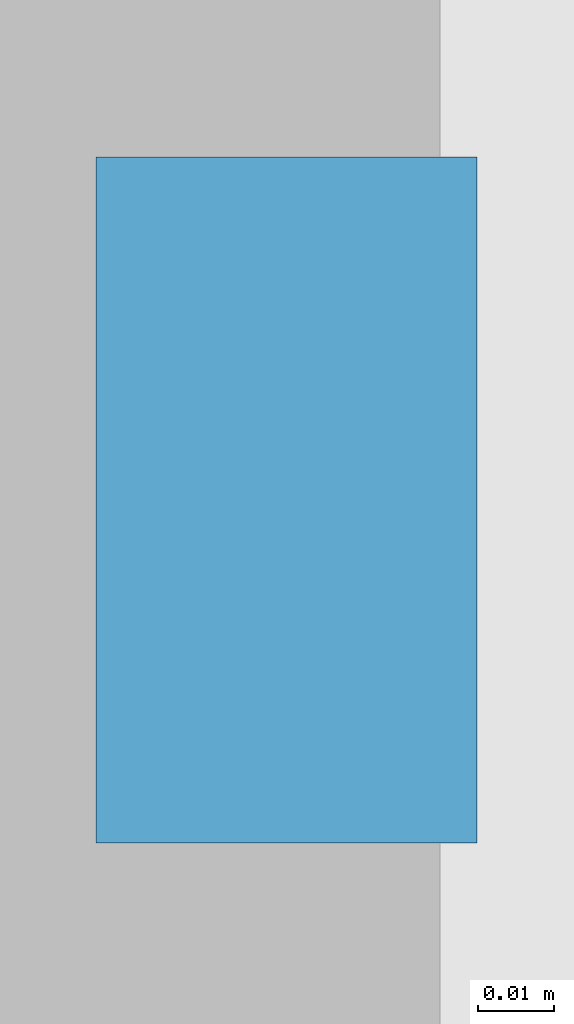
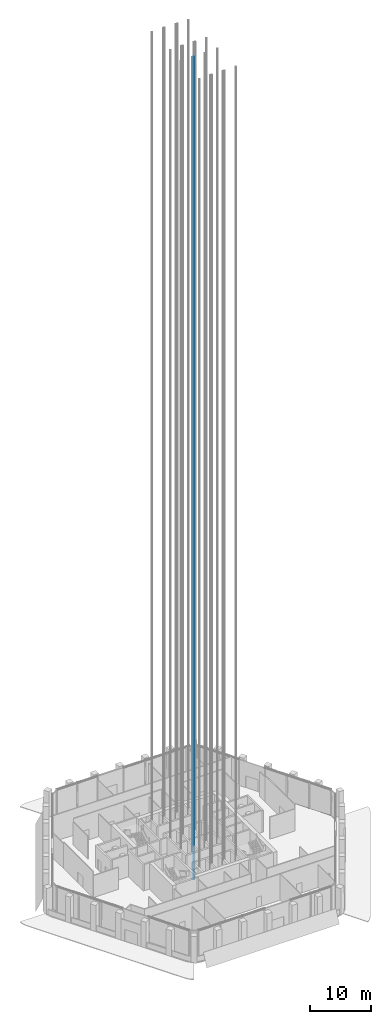
# One storey, part 23 of 42: 1 discrete accessory.
"""IFC4 building model written with IfcOpenShell, lengths in metres."""

from ifc_helpers import new_model, si_unit, direction, frame, origin, origin_2d, place, context, subcontext, project, spatial, rectangle, extrude, element, save


model = new_model("IFC4")

# Units and contexts
model_context = context("Model", 3, precision=1e-05, world=origin(), true_north=direction((0.0, 1.0)))
body_context = subcontext(model_context, "Body", "Model", "MODEL_VIEW")
ifc_project = project(units=[si_unit("LENGTHUNIT", "METRE"), si_unit("AREAUNIT", "SQUARE_METRE"), si_unit("VOLUMEUNIT", "CUBIC_METRE"), si_unit("PLANEANGLEUNIT", "RADIAN"), si_unit("MASSUNIT", "GRAM", prefix="KILO")], contexts=[model_context])

# Site, building, storey
site_placement = place(None, origin())
site = spatial("IfcSite", under=ifc_project, at=site_placement, CompositionType="ELEMENT")
building_placement = place(site_placement, origin())
building = spatial("IfcBuilding", under=site, at=building_placement, Name="Kolab Exchange Tower", CompositionType="ELEMENT")
storey_placement = place(building_placement, frame((0.0, 0.0, 133.39990234375)))
storey = spatial("IfcBuildingStorey", under=building, at=storey_placement, Name="L26", CompositionType="ELEMENT", Elevation=133.39990234375)

# Discrete accessory
discrete_accessory_placement = place(storey_placement, frame((-1.070068359375, -1.800048828125, -1.599853515625), z_axis=(0.0, 0.0, 1.0), x_axis=(1.0, 0.0, 0.0)))
element("IfcDiscreteAccessory", 1, at=discrete_accessory_placement, inside=storey, Name="Guide rail HR8-1", ObjectType="GUIDE RAIL", PredefinedType="USERDEFINED", context=body_context, shape_type="SweptSolid", body=[
    extrude(rectangle(XDim=0.050048828125, YDim=0.090087890625, at=origin_2d()), origin(), (0.0, 0.0, 1.0), 165.60009765625),
])

save(model, "model.ifc")
